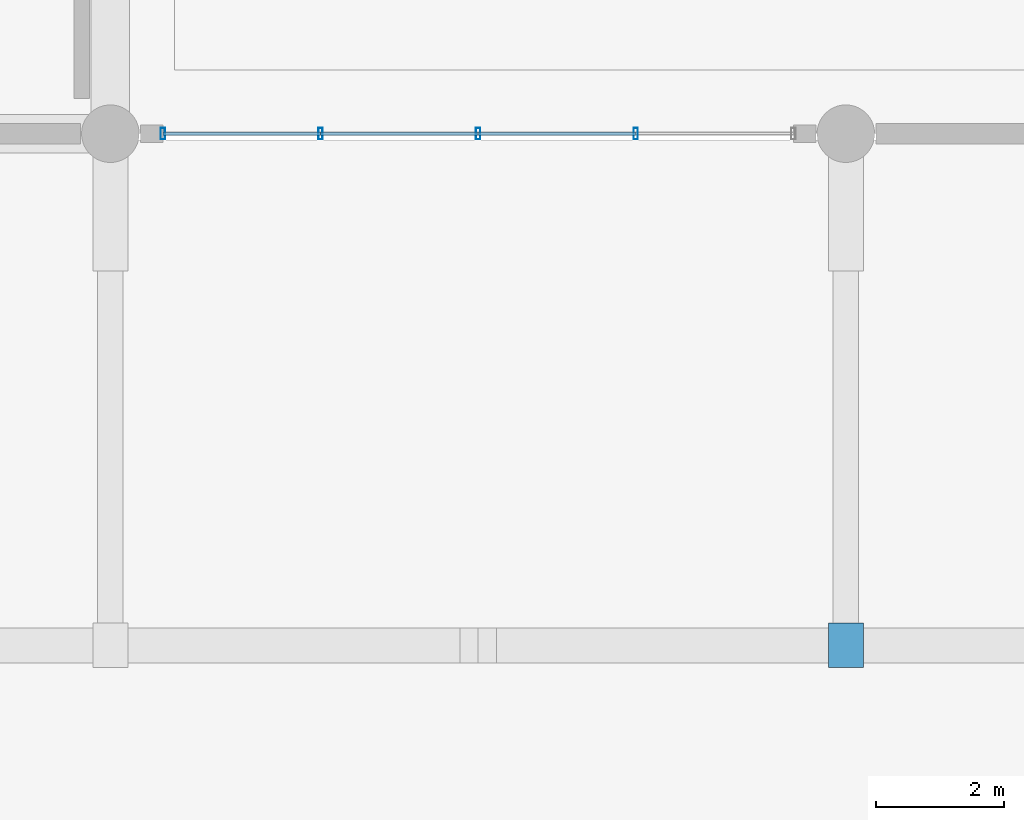
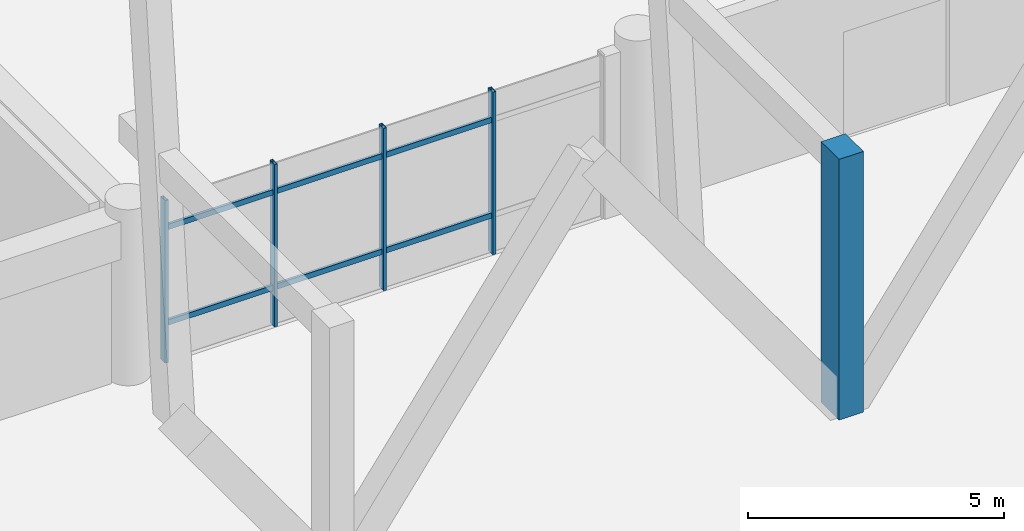
# One storey, part 14 of 109: 11 members, 1 element without a shape of its own.
"""IFC4 building model written with IfcOpenShell, lengths in metres."""

import ifcopenshell
import ifcopenshell.guid

model = None  # the IFC model being written
_history = None  # IfcOwnerHistory: only IFC2X3 demands one
_inside = {}  # id of a spatial element -> (the spatial element, [elements in it])
_under = {}  # id of a project, library or spatial element -> (it, [spatial elements below it])
_declared = {}  # id of a project -> (the project, [libraries it declares])
_typed = {}  # id of a type object -> (the type object, [elements of that type])
_made_of = {}  # id of a material, layer set ... -> (it, [elements and type objects made of it])


def new_model(schema):
    """Start an empty IFC model of exactly this schema.

    Asked for "IFC4X3", IfcOpenShell would pick the latest addendum, in which some entities
    have other attributes; the version numbers below select the first issue.
    IFC2X3 requires an IfcOwnerHistory on every rooted entity: one is made here for all.
    """
    global model, _history
    if schema == "IFC4X3":
        model = ifcopenshell.file(schema_version=(4, 3, 0, 0))
    else:
        model = ifcopenshell.file(schema=schema)
    _inside.clear()
    _under.clear()
    _declared.clear()
    _typed.clear()
    _made_of.clear()
    _history = None
    if model.schema == "IFC2X3":
        org = make("IfcOrganization", Name="unknown")
        user = make(
            "IfcPersonAndOrganization",
            ThePerson=make("IfcPerson", FamilyName="unknown"),
            TheOrganization=org,
        )
        app = make(
            "IfcApplication",
            ApplicationDeveloper=org,
            Version="unknown",
            ApplicationFullName="unknown",
            ApplicationIdentifier="unknown",
        )
        _history = make(
            "IfcOwnerHistory",
            OwningUser=user,
            OwningApplication=app,
            ChangeAction="ADDED",
            CreationDate=0,
        )
    return model


def make(cls, **values):
    """One entity of the class cls with the attributes given. An attribute that is None is left unset."""
    return model.create_entity(
        cls, **{name: value for name, value in values.items() if value is not None}
    )


def rooted(cls, **values):
    """An entity with a GlobalId (a new one), such as an element, a storey or a relation."""
    return make(cls, GlobalId=ifcopenshell.guid.new(), OwnerHistory=_history, **values)


def si_unit(unit_type, name, prefix=None):
    """IfcSIUnit, for example si_unit("LENGTHUNIT", "METRE", prefix="MILLI")."""
    return make("IfcSIUnit", UnitType=unit_type, Prefix=prefix, Name=name)


def assignment(units):
    """IfcUnitAssignment: the units of a project."""
    return None if units is None else make("IfcUnitAssignment", Units=units)


def point(xyz):
    """IfcCartesianPoint."""
    return None if xyz is None else make("IfcCartesianPoint", Coordinates=xyz)


def direction(xyz):
    """IfcDirection."""
    return None if xyz is None else make("IfcDirection", DirectionRatios=xyz)


def frame(location, z_axis=None, x_axis=None):
    """IfcAxis2Placement3D, a coordinate frame: its origin and axes. An axis left out is left unset."""
    return make(
        "IfcAxis2Placement3D",
        Location=point(location),
        Axis=direction(z_axis),
        RefDirection=direction(x_axis),
    )


def frame_2d(location, x_axis=None):
    """IfcAxis2Placement2D, a coordinate frame in the plane: its origin and x axis."""
    return make(
        "IfcAxis2Placement2D", Location=point(location), RefDirection=direction(x_axis)
    )


def origin():
    """The frame at (0, 0, 0) with its axes left unset."""
    return frame((0.0, 0.0, 0.0))


def origin_2d():
    """The frame at (0, 0) in the plane with its x axis left unset."""
    return frame_2d((0.0, 0.0))


def place(relative_to, where):
    """IfcLocalPlacement: puts the frame where relative to a parent placement (None: the world)."""
    return make(
        "IfcLocalPlacement", PlacementRelTo=relative_to, RelativePlacement=where
    )


def context(
    kind, dimensions, precision=None, world=None, true_north=None, identifier=None
):
    """IfcGeometricRepresentationContext, for example the 3D "Model" context."""
    return make(
        "IfcGeometricRepresentationContext",
        ContextIdentifier=identifier,
        ContextType=kind,
        CoordinateSpaceDimension=dimensions,
        Precision=precision,
        WorldCoordinateSystem=world,
        TrueNorth=true_north,
    )


def subcontext(parent, identifier, kind, view, scale=None):
    """IfcGeometricRepresentationSubContext, for example "Body" below "Model"."""
    return make(
        "IfcGeometricRepresentationSubContext",
        ContextIdentifier=identifier,
        ContextType=kind,
        ParentContext=parent,
        TargetScale=scale,
        TargetView=view,
    )


def project(units=None, contexts=None):
    """IfcProject with its units and contexts."""
    return rooted(
        "IfcProject",
        Name="project",
        RepresentationContexts=contexts,
        UnitsInContext=assignment(units),
    )


def spatial(cls, under=None, at=None, **own):
    """A site, building, storey or space (cls), placed at a placement, below another one or the project."""
    s = rooted(cls, ObjectPlacement=at, **own)
    if under is not None:
        _under.setdefault(under.id(), (under, []))[1].append(s)
    return s


def profile(cls, at=None, kind="AREA", **sizes):
    """A parametric profile (cls). Its sizes go by their IFC names, for example OverallWidth=200.0."""
    return make(cls, ProfileType=kind, Position=at, **sizes)


def rectangle(**sizes):
    """IfcRectangleProfileDef."""
    return profile("IfcRectangleProfileDef", **sizes)


def hollow_rectangle(**sizes):
    """IfcRectangleHollowProfileDef."""
    return profile("IfcRectangleHollowProfileDef", **sizes)


def extrude(swept, where, along, depth):
    """IfcExtrudedAreaSolid: the profile swept, set in the frame where, extruded along a direction by depth."""
    return make(
        "IfcExtrudedAreaSolid",
        SweptArea=swept,
        Position=where,
        ExtrudedDirection=direction(along),
        Depth=depth,
    )


def shape(context_of_items, identifier, shape_type, items):
    """IfcShapeRepresentation: the items that make up one representation, for example the "Body"."""
    return make(
        "IfcShapeRepresentation",
        ContextOfItems=context_of_items,
        RepresentationIdentifier=identifier,
        RepresentationType=shape_type,
        Items=items,
    )


def material(Name=None, Category=None):
    """IfcMaterial."""
    return make("IfcMaterial", Name=Name, Category=Category)


def material_profile(
    of_material, cross_section, Name=None, Category=None, Priority=None
):
    """IfcMaterialProfile: a cross section and its material."""
    return make(
        "IfcMaterialProfile",
        Name=Name,
        Material=of_material,
        Profile=cross_section,
        Priority=Priority,
        Category=Category,
    )


def profile_set(profiles, Name=None, composite=None):
    """IfcMaterialProfileSet."""
    return make(
        "IfcMaterialProfileSet",
        Name=Name,
        MaterialProfiles=profiles,
        CompositeProfile=composite,
    )


def made_of(thing, what):
    """Note that an element or type object is made of a material, layer set ...; save() writes the relation."""
    if what is not None:
        _made_of.setdefault(what.id(), (what, []))[1].append(thing)
    return thing


def type_object(cls, material=None, **own):
    """A type object (cls), such as IfcWallType, which elements share."""
    return made_of(rooted(cls, **own), material)


def element(
    cls,
    number,
    at=None,
    inside=None,
    cuts=None,
    type_object=None,
    material=None,
    context=None,
    identifier="Body",
    shape_type=None,
    held_by="IfcProductDefinitionShape",
    body=None,
    shapes=None,
    **own,
):
    """One element of the class cls, such as IfcWall. Its Tag is "e" and its number.

    at: its placement. inside: the storey or other place that contains it. cuts: it is an
    opening in that element (IfcRelVoidsElement). A single representation is given by context,
    identifier, shape_type and body (its items); several are given by shapes. held_by: the class
    of the entity that holds the representations. save() writes the other relations.
    """
    e = rooted(cls, Tag="e%d" % number, ObjectPlacement=at, **own)
    if body is not None:
        shapes = [shape(context, identifier, shape_type, body)]
    if shapes is not None:
        e.Representation = make(held_by, Representations=shapes)
    if inside is not None:
        _inside.setdefault(inside.id(), (inside, []))[1].append(e)
    if cuts is not None:
        rooted(
            "IfcRelVoidsElement", RelatingBuildingElement=cuts, RelatedOpeningElement=e
        )
    if type_object is not None:
        _typed.setdefault(type_object.id(), (type_object, []))[1].append(e)
    return made_of(e, material)


def aggregate(whole, parts):
    """IfcRelAggregates: a whole, such as a stair, and the parts it consists of."""
    return rooted("IfcRelAggregates", RelatingObject=whole, RelatedObjects=parts)


def save(model, path):
    """Write the relations noted so far, then the file.

    IfcRelAggregates (storeys below a building ...), IfcRelContainedInSpatialStructure (elements
    in a storey), IfcRelDefinesByType, IfcRelAssociatesMaterial and IfcRelDeclares: one each for
    every whole, place, type object, material and project.
    """
    for whole, parts in _under.values():
        aggregate(whole, parts)
    for where, things in _inside.values():
        rooted(
            "IfcRelContainedInSpatialStructure",
            RelatedElements=things,
            RelatingStructure=where,
        )
    for kind, things in _typed.values():
        rooted("IfcRelDefinesByType", RelatedObjects=things, RelatingType=kind)
    for what, things in _made_of.values():
        rooted("IfcRelAssociatesMaterial", RelatedObjects=things, RelatingMaterial=what)
    for by, libraries in _declared.values():
        rooted("IfcRelDeclares", RelatingContext=by, RelatedDefinitions=libraries)
    model.write(path)


model = new_model("IFC4")

# Units and contexts
model_context = context("Model", 3, precision=1e-05, world=origin(), true_north=direction((0.0, 1.0)))
body_context = subcontext(model_context, "Body", "Model", "MODEL_VIEW")
ifc_project = project(units=[si_unit("LENGTHUNIT", "METRE"), si_unit("AREAUNIT", "SQUARE_METRE"), si_unit("VOLUMEUNIT", "CUBIC_METRE"), si_unit("PLANEANGLEUNIT", "RADIAN"), si_unit("MASSUNIT", "GRAM", prefix="KILO")], contexts=[model_context])

# Site, building, storey
site_placement = place(None, origin())
site = spatial("IfcSite", under=ifc_project, at=site_placement, CompositionType="ELEMENT")
building_placement = place(site_placement, origin())
building = spatial("IfcBuilding", under=site, at=building_placement, Name="Ologun Quay Terminus", CompositionType="ELEMENT")
storey_placement = place(building_placement, origin())
storey = spatial("IfcBuildingStorey", under=building, at=storey_placement, Name="L00", CompositionType="ELEMENT", Elevation=0.0)

# Curtain wall, members
ifc_material_1 = material(Name="Aluminium 6063-T6", Category="aluminium")
curtain_wall_type = type_object("IfcCurtainWallType", Name="Forecourt Arcade Curtain Wall 10700x3750", PredefinedType="USERDEFINED", material=ifc_material_1)
curtain_wall_placement = place(storey_placement, origin())
curtain_wall = element("IfcCurtainWall", 1, at=curtain_wall_placement, inside=storey, type_object=curtain_wall_type, Name="CW-03 Curtain Wall CW-L00-004", ObjectType="UNITISED CURTAIN WALL", PredefinedType="USERDEFINED")
ifc_material_2 = material(Name="Aluminium 6063-T6", Category="aluminium")
ifc_material_profile_1 = material_profile(ifc_material_2, hollow_rectangle(XDim=0.070068359375, YDim=0.179931640625, WallThickness=0.0048828125, at=origin_2d()), Name="ALU 180x70x5")
ifc_profile_set_1 = profile_set([ifc_material_profile_1], Name="Aluminium 6063-T6")
member_type_1 = type_object("IfcMemberType", Name="Curtain Wall Heavy Mullion 180x70", PredefinedType="MULLION", material=ifc_profile_set_1)
member_1_placement = place(storey_placement, frame((69.820068359375, 8.0, 0.0), z_axis=(0.0, 0.0, 1.0), x_axis=(1.0, 0.0, 0.0)))
member_1 = element("IfcMember", 2, at=member_1_placement, type_object=member_type_1, Name="CW-L00-004 Mullion 1", PredefinedType="MULLION", context=body_context, shape_type="SweptSolid", body=[
    extrude(hollow_rectangle(XDim=0.070068359375, YDim=0.179931640625, WallThickness=0.0048828125, at=origin_2d()), origin(), (0.0, 0.0, 1.0), 3.8798828125),
])
member_2_placement = place(storey_placement, frame((72.284912109375, 8.0, 0.0), z_axis=(0.0, 0.0, 1.0), x_axis=(1.0, 0.0, 0.0)))
member_2 = element("IfcMember", 3, at=member_2_placement, type_object=member_type_1, Name="CW-L00-004 Mullion 2", PredefinedType="MULLION", context=body_context, shape_type="SweptSolid", body=[
    extrude(hollow_rectangle(XDim=0.070068359375, YDim=0.179931640625, WallThickness=0.0048828125, at=origin_2d()), origin(), (0.0, 0.0, 1.0), 3.8798828125),
])
member_3_placement = place(storey_placement, frame((74.75, 8.0, 0.0), z_axis=(0.0, 0.0, 1.0), x_axis=(1.0, 0.0, 0.0)))
member_3 = element("IfcMember", 4, at=member_3_placement, type_object=member_type_1, Name="CW-L00-004 Mullion 3", PredefinedType="MULLION", context=body_context, shape_type="SweptSolid", body=[
    extrude(hollow_rectangle(XDim=0.070068359375, YDim=0.179931640625, WallThickness=0.0048828125, at=origin_2d()), origin(), (0.0, 0.0, 1.0), 3.8798828125),
])
member_4_placement = place(storey_placement, frame((77.215087890625, 8.0, 0.0), z_axis=(0.0, 0.0, 1.0), x_axis=(1.0, 0.0, 0.0)))
member_4 = element("IfcMember", 5, at=member_4_placement, type_object=member_type_1, Name="CW-L00-004 Mullion 4", PredefinedType="MULLION", context=body_context, shape_type="SweptSolid", body=[
    extrude(hollow_rectangle(XDim=0.070068359375, YDim=0.179931640625, WallThickness=0.0048828125, at=origin_2d()), origin(), (0.0, 0.0, 1.0), 3.8798828125),
])
ifc_material_3 = material(Name="Aluminium 6063-T6", Category="aluminium")
ifc_material_profile_2 = material_profile(ifc_material_3, hollow_rectangle(XDim=0.06005859375, YDim=0.1298828125, WallThickness=0.00390625, at=origin_2d()), Name="ALU 130x60x4")
ifc_profile_set_2 = profile_set([ifc_material_profile_2], Name="Aluminium 6063-T6")
member_type_2 = type_object("IfcMemberType", Name="Curtain Wall Heavy Transom 130x60", PredefinedType="USERDEFINED", material=ifc_profile_set_2)
member_5_placement = place(storey_placement, frame((69.820068359375, 8.0, 0.89990234375), z_axis=(1.0, 0.0, 0.0), x_axis=(0.0, 1.0, 0.0)))
member_5 = element("IfcMember", 6, at=member_5_placement, type_object=member_type_2, Name="CW-L00-004 Transom B1-1", ObjectType="TRANSOM", PredefinedType="USERDEFINED", context=body_context, shape_type="SweptSolid", body=[
    extrude(hollow_rectangle(XDim=0.06005859375, YDim=0.1298828125, WallThickness=0.00390625, at=origin_2d()), origin(), (0.0, 0.0, 1.0), 2.46484375),
])
member_6_placement = place(storey_placement, frame((69.820068359375, 8.0, 3.179931640625), z_axis=(1.0, 0.0, 0.0), x_axis=(0.0, 1.0, 0.0)))
member_6 = element("IfcMember", 7, at=member_6_placement, type_object=member_type_2, Name="CW-L00-004 Transom B1-2", ObjectType="TRANSOM", PredefinedType="USERDEFINED", context=body_context, shape_type="SweptSolid", body=[
    extrude(hollow_rectangle(XDim=0.06005859375, YDim=0.1298828125, WallThickness=0.00390625, at=origin_2d()), origin(), (0.0, 0.0, 1.0), 2.46484375),
])
member_7_placement = place(storey_placement, frame((72.284912109375, 8.0, 0.89990234375), z_axis=(1.0, 0.0, 0.0), x_axis=(0.0, 1.0, 0.0)))
member_7 = element("IfcMember", 8, at=member_7_placement, type_object=member_type_2, Name="CW-L00-004 Transom B2-1", ObjectType="TRANSOM", PredefinedType="USERDEFINED", context=body_context, shape_type="SweptSolid", body=[
    extrude(hollow_rectangle(XDim=0.06005859375, YDim=0.1298828125, WallThickness=0.00390625, at=origin_2d()), origin(), (0.0, 0.0, 1.0), 2.465087890625),
])
member_8_placement = place(storey_placement, frame((72.284912109375, 8.0, 3.179931640625), z_axis=(1.0, 0.0, 0.0), x_axis=(0.0, 1.0, 0.0)))
member_8 = element("IfcMember", 9, at=member_8_placement, type_object=member_type_2, Name="CW-L00-004 Transom B2-2", ObjectType="TRANSOM", PredefinedType="USERDEFINED", context=body_context, shape_type="SweptSolid", body=[
    extrude(hollow_rectangle(XDim=0.06005859375, YDim=0.1298828125, WallThickness=0.00390625, at=origin_2d()), origin(), (0.0, 0.0, 1.0), 2.465087890625),
])
member_9_placement = place(storey_placement, frame((74.75, 8.0, 0.89990234375), z_axis=(1.0, 0.0, 0.0), x_axis=(0.0, 1.0, 0.0)))
member_9 = element("IfcMember", 10, at=member_9_placement, type_object=member_type_2, Name="CW-L00-004 Transom B3-1", ObjectType="TRANSOM", PredefinedType="USERDEFINED", context=body_context, shape_type="SweptSolid", body=[
    extrude(hollow_rectangle(XDim=0.06005859375, YDim=0.1298828125, WallThickness=0.00390625, at=origin_2d()), origin(), (0.0, 0.0, 1.0), 2.465087890625),
])
member_10_placement = place(storey_placement, frame((74.75, 8.0, 3.179931640625), z_axis=(1.0, 0.0, 0.0), x_axis=(0.0, 1.0, 0.0)))
member_10 = element("IfcMember", 11, at=member_10_placement, type_object=member_type_2, Name="CW-L00-004 Transom B3-2", ObjectType="TRANSOM", PredefinedType="USERDEFINED", context=body_context, shape_type="SweptSolid", body=[
    extrude(hollow_rectangle(XDim=0.06005859375, YDim=0.1298828125, WallThickness=0.00390625, at=origin_2d()), origin(), (0.0, 0.0, 1.0), 2.465087890625),
])
aggregate(curtain_wall, [member_1, member_2, member_3, member_4, member_5, member_6, member_7, member_8, member_9, member_10])

# Member
ifc_material_4 = material(Name="Concrete C45/55", Category="concrete")
ifc_material_profile_3 = material_profile(ifc_material_4, rectangle(XDim=0.550048828125, YDim=0.699951171875, at=origin_2d()), Name="RC 550x700")
ifc_profile_set_3 = profile_set([ifc_material_profile_3], Name="Concrete C45/55")
member_type_3 = type_object("IfcMemberType", Name="Folded Canopy Concrete V-Strut 550x700", PredefinedType="STRUT", material=ifc_profile_set_3)
member_11_placement = place(storey_placement, frame((80.5, 0.0, 0.0), z_axis=(0.0, 0.0, 1.0), x_axis=(1.0, 0.0, 0.0)))
element("IfcMember", 12, at=member_11_placement, inside=storey, type_object=member_type_3, Name="VS2 Canopy Pier 8/A", PredefinedType="STRUT", context=body_context, shape_type="SweptSolid", body=[
    extrude(rectangle(XDim=0.550048828125, YDim=0.699951171875, at=origin_2d()), origin(), (0.0, 0.0, 1.0), 6.219970703125),
])

save(model, "model.ifc")
